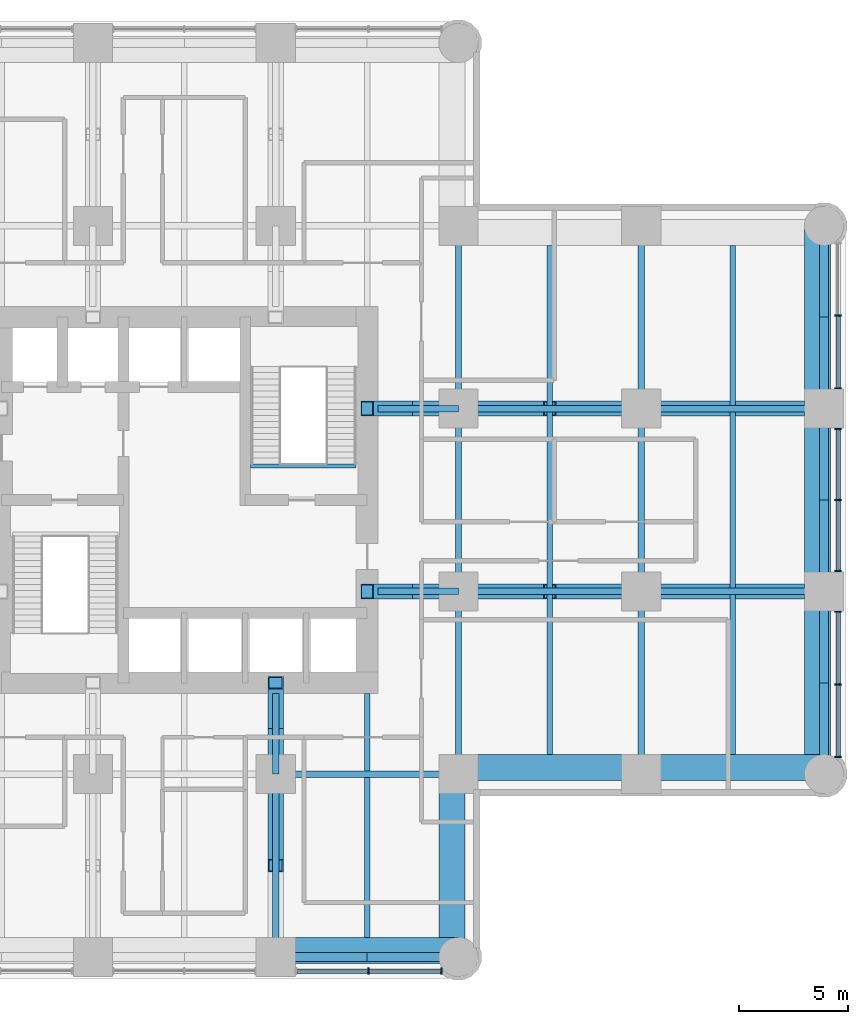
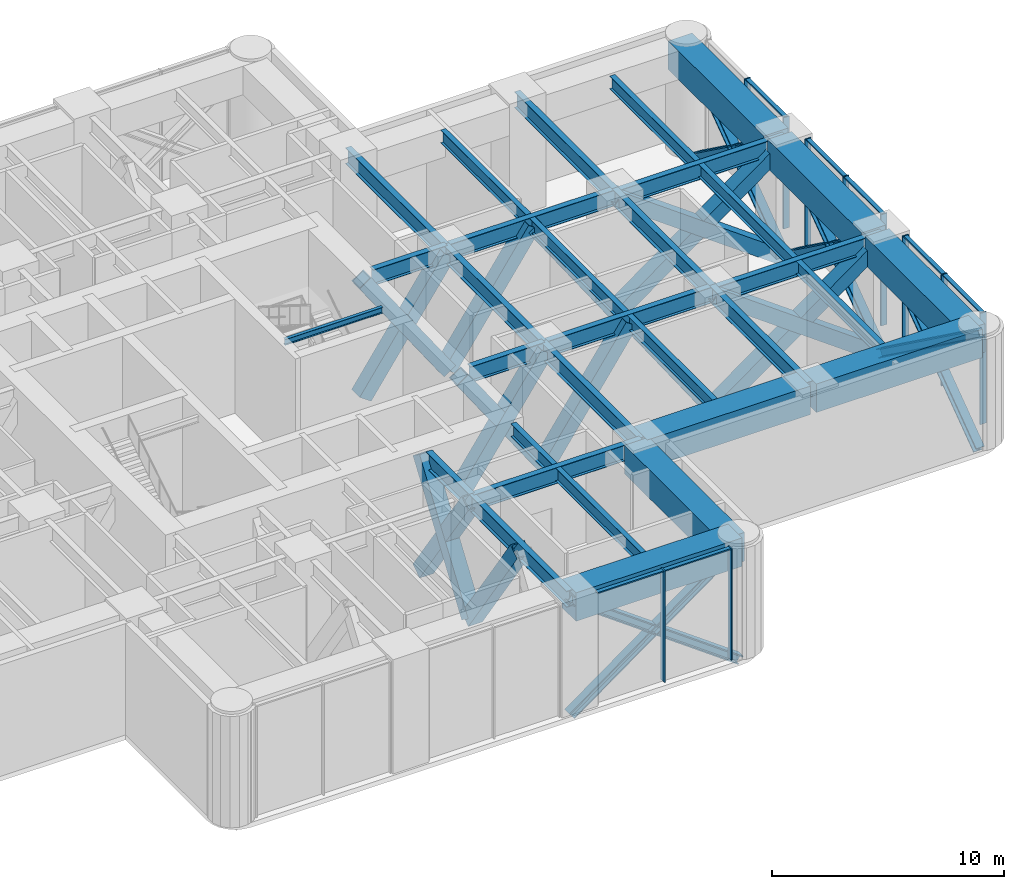
# One storey, part 4 of 13: 40 members, 31 beams, 2 elements without a shape of their own.
"""IFC4 building model written with IfcOpenShell, lengths in metres."""

from ifc_helpers import new_model, si_unit, direction, frame, origin, origin_2d, place, context, subcontext, project, spatial, rectangle, hollow_rectangle, i_section, extrude, material, material_profile, profile_set, type_object, element, aggregate, save


model = new_model("IFC4")

# Units and contexts
model_context = context("Model", 3, precision=1e-05, world=origin(), true_north=direction((0.0, 1.0)))
body_context = subcontext(model_context, "Body", "Model", "MODEL_VIEW")
ifc_project = project(units=[si_unit("LENGTHUNIT", "METRE"), si_unit("AREAUNIT", "SQUARE_METRE"), si_unit("VOLUMEUNIT", "CUBIC_METRE"), si_unit("PLANEANGLEUNIT", "RADIAN"), si_unit("MASSUNIT", "GRAM", prefix="KILO")], contexts=[model_context])

# Site, building, storey
site_placement = place(None, origin())
site = spatial("IfcSite", under=ifc_project, at=site_placement, CompositionType="ELEMENT")
building_placement = place(site_placement, origin())
building = spatial("IfcBuilding", under=site, at=building_placement, Name="Torre Alcanfor", CompositionType="ELEMENT")
storey_placement = place(building_placement, frame((0.0, 0.0, 177.300048828125)))
storey = spatial("IfcBuildingStorey", under=building, at=storey_placement, Name="L46", CompositionType="ELEMENT", Elevation=177.300048828125)

# Members
ifc_material_1 = material(Name="Steel ASTM A992 Grade 50", Category="steel")
ifc_material_profile_1 = material_profile(ifc_material_1, i_section(OverallWidth=0.411376953125, OverallDepth=0.434326171875, WebThickness=0.035888671875, FlangeThickness=0.057373046875, at=origin_2d()), Name="W14x311")
ifc_profile_set_1 = profile_set([ifc_material_profile_1], Name="Steel ASTM A992 Grade 50")
member_type_1 = type_object("IfcMemberType", Name="Belt truss diagonal W14x311", PredefinedType="BRACE", material=ifc_profile_set_1)
for number, where, z_axis, x_axis, name in (
    (1, (58.800048828125, 16.800048828125, -0.650146484375), (0.0, 0.809144712888, 0.587609422665), (-1.0, 0.0, 0.0), "Belt truss L46 E arm panel 1 diagonal A"),
    (2, (58.800048828125, 25.199951171875, -0.650146484375), (0.0, -0.809144712888, 0.587609422665), (1.0, 0.0, 0.0), "Belt truss L46 E arm panel 1 diagonal B"),
):
    element("IfcMember", number, at=place(storey_placement, frame(where, z_axis=z_axis, x_axis=x_axis)), inside=storey, type_object=member_type_1, Name=name, PredefinedType="BRACE", context=body_context, shape_type="SweptSolid", body=[
        extrude(i_section(OverallWidth=0.411376953125, OverallDepth=0.434326171875, WebThickness=0.035888671875, FlangeThickness=0.057373046875, at=origin_2d()), origin(), (0.0, 0.0, 1.0), 10.381103515625),
    ])
for number, where, z_axis, x_axis, name in (
    (3, (58.800048828125, 25.199951171875, -0.650146484375), (0.0, 0.809152832909, 0.587598241144), (-1.0, 0.0, 0.0), "Belt truss L46 E arm panel 2 diagonal A"),
    (4, (58.800048828125, 33.60009765625, -0.650146484375), (0.0, -0.809152832909, 0.587598241144), (1.0, 0.0, 0.0), "Belt truss L46 E arm panel 2 diagonal B"),
):
    element("IfcMember", number, at=place(storey_placement, frame(where, z_axis=z_axis, x_axis=x_axis)), inside=storey, type_object=member_type_1, Name=name, PredefinedType="BRACE", context=body_context, shape_type="SweptSolid", body=[
        extrude(i_section(OverallWidth=0.411376953125, OverallDepth=0.434326171875, WebThickness=0.035888671875, FlangeThickness=0.057373046875, at=origin_2d()), origin(), (0.0, 0.0, 1.0), 10.38134765625),
    ])
for number, where, z_axis, x_axis, name in (
    (5, (58.800048828125, 33.60009765625, -0.650146484375), (0.0, 0.809144712888, 0.587609422665), (-1.0, 0.0, 0.0), "Belt truss L46 E arm panel 3 diagonal A"),
    (6, (58.800048828125, 42.0, -0.650146484375), (0.0, -0.809144712888, 0.587609422665), (1.0, 0.0, 0.0), "Belt truss L46 E arm panel 3 diagonal B"),
    (7, (33.60009765625, 8.39990234375, -0.650146484375), (0.809144712888, 0.0, 0.587609422665), (0.0, 1.0, 0.0), "Belt truss L46 S arm panel 3 diagonal A"),
    (8, (42.0, 8.39990234375, -0.650146484375), (-0.809144712888, 0.0, 0.587609422665), (0.0, -1.0, 0.0), "Belt truss L46 S arm panel 3 diagonal B"),
):
    element("IfcMember", number, at=place(storey_placement, frame(where, z_axis=z_axis, x_axis=x_axis)), inside=storey, type_object=member_type_1, Name=name, PredefinedType="BRACE", context=body_context, shape_type="SweptSolid", body=[
        extrude(i_section(OverallWidth=0.411376953125, OverallDepth=0.434326171875, WebThickness=0.035888671875, FlangeThickness=0.057373046875, at=origin_2d()), origin(), (0.0, 0.0, 1.0), 10.381103515625),
    ])

# Curtain wall, members
ifc_material_2 = material(Name="Aluminium and glass", Category="aluminium")
curtain_wall_type = type_object("IfcCurtainWallType", Name="CW-D plant floor louvre screen", PredefinedType="NOTDEFINED", material=ifc_material_2)
curtain_wall_1_placement = place(storey_placement, origin())
curtain_wall_1 = element("IfcCurtainWall", 9, at=curtain_wall_1_placement, inside=storey, type_object=curtain_wall_type, Name="Curtain wall CW-D L46 5", PredefinedType="NOTDEFINED")
ifc_material_3 = material(Name="Extruded aluminium", Category="aluminium")
ifc_material_profile_2 = material_profile(ifc_material_3, rectangle(XDim=0.300048828125, YDim=0.06494140625, at=origin_2d()), Name="CW-D mullion 65x300")
ifc_profile_set_2 = profile_set([ifc_material_profile_2], Name="Extruded aluminium")
member_type_2 = type_object("IfcMemberType", Name="CW-D mullion 65x300", PredefinedType="MULLION", material=ifc_profile_set_2)
member_1_placement = place(storey_placement, frame((37.875244140625, 7.75, 0.0), z_axis=(0.0, 0.0, 1.0), x_axis=(0.0, 1.0, 0.0)))
member_1 = element("IfcMember", 10, at=member_1_placement, type_object=member_type_2, Name="CW-D mullion 3.2", PredefinedType="MULLION", context=body_context, shape_type="SweptSolid", body=[
    extrude(rectangle(XDim=0.300048828125, YDim=0.06494140625, at=origin_2d()), origin(), (0.0, 0.0, 1.0), 5.849853515625),
])
member_2_placement = place(storey_placement, frame((41.213134765625, 7.75, 0.0), z_axis=(0.0, 0.0, 1.0), x_axis=(0.0, 1.0, 0.0)))
member_2 = element("IfcMember", 11, at=member_2_placement, type_object=member_type_2, Name="CW-D mullion 3.3", PredefinedType="MULLION", context=body_context, shape_type="SweptSolid", body=[
    extrude(rectangle(XDim=0.300048828125, YDim=0.06494140625, at=origin_2d()), origin(), (0.0, 0.0, 1.0), 5.849853515625),
])

curtain_wall_2_placement = place(storey_placement, origin())
curtain_wall_2 = element("IfcCurtainWall", 12, at=curtain_wall_2_placement, inside=storey, type_object=curtain_wall_type, Name="Curtain wall CW-D L46 8", PredefinedType="NOTDEFINED")
member_3_placement = place(storey_placement, frame((59.449951171875, 17.5869140625, 0.0), z_axis=(0.0, 0.0, 1.0), x_axis=(-1.0, 0.0, 0.0)))
member_3 = element("IfcMember", 13, at=member_3_placement, type_object=member_type_2, Name="CW-D mullion 1.1", PredefinedType="MULLION", context=body_context, shape_type="SweptSolid", body=[
    extrude(rectangle(XDim=0.300048828125, YDim=0.06494140625, at=origin_2d()), origin(), (0.0, 0.0, 1.0), 5.849853515625),
])
member_4_placement = place(storey_placement, frame((59.449951171875, 20.924560546875, 0.0), z_axis=(0.0, 0.0, 1.0), x_axis=(-1.0, 0.0, 0.0)))
member_4 = element("IfcMember", 14, at=member_4_placement, type_object=member_type_2, Name="CW-D mullion 1.2", PredefinedType="MULLION", context=body_context, shape_type="SweptSolid", body=[
    extrude(rectangle(XDim=0.300048828125, YDim=0.06494140625, at=origin_2d()), origin(), (0.0, 0.0, 1.0), 5.849853515625),
])
member_5_placement = place(storey_placement, frame((59.449951171875, 24.262451171875, 0.0), z_axis=(0.0, 0.0, 1.0), x_axis=(-1.0, 0.0, 0.0)))
member_5 = element("IfcMember", 15, at=member_5_placement, type_object=member_type_2, Name="CW-D mullion 1.3", PredefinedType="MULLION", context=body_context, shape_type="SweptSolid", body=[
    extrude(rectangle(XDim=0.300048828125, YDim=0.06494140625, at=origin_2d()), origin(), (0.0, 0.0, 1.0), 5.849853515625),
])
member_6_placement = place(storey_placement, frame((59.449951171875, 26.137451171875, 0.0), z_axis=(0.0, 0.0, 1.0), x_axis=(-1.0, 0.0, 0.0)))
member_6 = element("IfcMember", 16, at=member_6_placement, type_object=member_type_2, Name="CW-D mullion 2.1", PredefinedType="MULLION", context=body_context, shape_type="SweptSolid", body=[
    extrude(rectangle(XDim=0.300048828125, YDim=0.06494140625, at=origin_2d()), origin(), (0.0, 0.0, 1.0), 5.849853515625),
])
member_7_placement = place(storey_placement, frame((59.449951171875, 29.39990234375, 0.0), z_axis=(0.0, 0.0, 1.0), x_axis=(-1.0, 0.0, 0.0)))
member_7 = element("IfcMember", 17, at=member_7_placement, type_object=member_type_2, Name="CW-D mullion 2.2", PredefinedType="MULLION", context=body_context, shape_type="SweptSolid", body=[
    extrude(rectangle(XDim=0.300048828125, YDim=0.06494140625, at=origin_2d()), origin(), (0.0, 0.0, 1.0), 5.849853515625),
])
member_8_placement = place(storey_placement, frame((59.449951171875, 32.66259765625, 0.0), z_axis=(0.0, 0.0, 1.0), x_axis=(-1.0, 0.0, 0.0)))
member_8 = element("IfcMember", 18, at=member_8_placement, type_object=member_type_2, Name="CW-D mullion 2.3", PredefinedType="MULLION", context=body_context, shape_type="SweptSolid", body=[
    extrude(rectangle(XDim=0.300048828125, YDim=0.06494140625, at=origin_2d()), origin(), (0.0, 0.0, 1.0), 5.849853515625),
])
member_9_placement = place(storey_placement, frame((59.449951171875, 34.53759765625, 0.0), z_axis=(0.0, 0.0, 1.0), x_axis=(-1.0, 0.0, 0.0)))
member_9 = element("IfcMember", 19, at=member_9_placement, type_object=member_type_2, Name="CW-D mullion 3.1", PredefinedType="MULLION", context=body_context, shape_type="SweptSolid", body=[
    extrude(rectangle(XDim=0.300048828125, YDim=0.06494140625, at=origin_2d()), origin(), (0.0, 0.0, 1.0), 5.849853515625),
])
member_10_placement = place(storey_placement, frame((59.449951171875, 37.875244140625, 0.0), z_axis=(0.0, 0.0, 1.0), x_axis=(-1.0, 0.0, 0.0)))
member_10 = element("IfcMember", 20, at=member_10_placement, type_object=member_type_2, Name="CW-D mullion 3.2", PredefinedType="MULLION", context=body_context, shape_type="SweptSolid", body=[
    extrude(rectangle(XDim=0.300048828125, YDim=0.06494140625, at=origin_2d()), origin(), (0.0, 0.0, 1.0), 5.849853515625),
])

# Member
ifc_material_4 = material(Name="Extruded aluminium", Category="aluminium")
ifc_material_profile_3 = material_profile(ifc_material_4, rectangle(XDim=0.199951171875, YDim=0.06494140625, at=origin_2d()), Name="CW-D transom 200x65")
ifc_profile_set_3 = profile_set([ifc_material_profile_3], Name="Extruded aluminium")
member_type_3 = type_object("IfcMemberType", Name="CW-D transom 65x200", PredefinedType="USERDEFINED", material=ifc_profile_set_3)
member_11_placement = place(storey_placement, frame((34.570068359375, 7.75, 5.8173828125), z_axis=(1.0, 0.0, 0.0), x_axis=(0.0, 1.0, 0.0)))
member_11 = element("IfcMember", 21, at=member_11_placement, type_object=member_type_3, Name="CW-D transom 3.1.2", ObjectType="TRANSOM", PredefinedType="USERDEFINED", context=body_context, shape_type="SweptSolid", body=[
    extrude(rectangle(XDim=0.199951171875, YDim=0.06494140625, at=origin_2d()), origin(), (0.0, 0.0, 1.0), 3.272705078125),
])

member_12_placement = place(storey_placement, frame((37.907958984375, 7.75, 5.8173828125), z_axis=(1.0, 0.0, 0.0), x_axis=(0.0, 1.0, 0.0)))
member_12 = element("IfcMember", 22, at=member_12_placement, type_object=member_type_3, Name="CW-D transom 3.2.2", ObjectType="TRANSOM", PredefinedType="USERDEFINED", context=body_context, shape_type="SweptSolid", body=[
    extrude(rectangle(XDim=0.199951171875, YDim=0.06494140625, at=origin_2d()), origin(), (0.0, 0.0, 1.0), 3.272705078125),
])

aggregate(curtain_wall_1, [member_1, member_2, member_11, member_12])

member_13_placement = place(storey_placement, frame((59.449951171875, 17.619384765625, 5.8173828125), z_axis=(0.0, 1.0, 0.0), x_axis=(-1.0, 0.0, 0.0)))
member_13 = element("IfcMember", 23, at=member_13_placement, type_object=member_type_3, Name="CW-D transom 1.1.2", ObjectType="TRANSOM", PredefinedType="USERDEFINED", context=body_context, shape_type="SweptSolid", body=[
    extrude(rectangle(XDim=0.199951171875, YDim=0.06494140625, at=origin_2d()), origin(), (0.0, 0.0, 1.0), 3.272705078125),
])

member_14_placement = place(storey_placement, frame((59.449951171875, 20.95703125, 5.8173828125), z_axis=(0.0, 1.0, 0.0), x_axis=(-1.0, 0.0, 0.0)))
member_14 = element("IfcMember", 24, at=member_14_placement, type_object=member_type_3, Name="CW-D transom 1.2.2", ObjectType="TRANSOM", PredefinedType="USERDEFINED", context=body_context, shape_type="SweptSolid", body=[
    extrude(rectangle(XDim=0.199951171875, YDim=0.06494140625, at=origin_2d()), origin(), (0.0, 0.0, 1.0), 3.27294921875),
])

member_15_placement = place(storey_placement, frame((59.449951171875, 26.169921875, 5.8173828125), z_axis=(0.0, 1.0, 0.0), x_axis=(-1.0, 0.0, 0.0)))
member_15 = element("IfcMember", 25, at=member_15_placement, type_object=member_type_3, Name="CW-D transom 2.1.2", ObjectType="TRANSOM", PredefinedType="USERDEFINED", context=body_context, shape_type="SweptSolid", body=[
    extrude(rectangle(XDim=0.199951171875, YDim=0.06494140625, at=origin_2d()), origin(), (0.0, 0.0, 1.0), 3.197509765625),
])

member_16_placement = place(storey_placement, frame((59.449951171875, 29.4326171875, 5.8173828125), z_axis=(0.0, 1.0, 0.0), x_axis=(-1.0, 0.0, 0.0)))
member_16 = element("IfcMember", 26, at=member_16_placement, type_object=member_type_3, Name="CW-D transom 2.2.2", ObjectType="TRANSOM", PredefinedType="USERDEFINED", context=body_context, shape_type="SweptSolid", body=[
    extrude(rectangle(XDim=0.199951171875, YDim=0.06494140625, at=origin_2d()), origin(), (0.0, 0.0, 1.0), 3.197265625),
])

member_17_placement = place(storey_placement, frame((59.449951171875, 34.570068359375, 5.8173828125), z_axis=(0.0, 1.0, 0.0), x_axis=(-1.0, 0.0, 0.0)))
member_17 = element("IfcMember", 27, at=member_17_placement, type_object=member_type_3, Name="CW-D transom 3.1.2", ObjectType="TRANSOM", PredefinedType="USERDEFINED", context=body_context, shape_type="SweptSolid", body=[
    extrude(rectangle(XDim=0.199951171875, YDim=0.06494140625, at=origin_2d()), origin(), (0.0, 0.0, 1.0), 3.272705078125),
])

aggregate(curtain_wall_2, [member_3, member_4, member_5, member_13, member_14, member_6, member_7, member_8, member_15, member_16, member_9, member_10, member_17])

# Beams
ifc_material_5 = material(Name="Steel ASTM A992 Grade 50", Category="steel")
ifc_material_profile_4 = material_profile(ifc_material_5, i_section(OverallWidth=0.2919921875, OverallDepth=0.8408203125, WebThickness=0.0146484375, FlangeThickness=0.021728515625, at=origin_2d()), Name="W33x130")
ifc_profile_set_4 = profile_set([ifc_material_profile_4], Name="Steel ASTM A992 Grade 50")
beam_type_1 = type_object("IfcBeamType", Name="Girder W33x130", PredefinedType="BEAM", material=ifc_profile_set_4)
for number, where, z_axis, x_axis, name in (
    (28, (33.60009765625, 16.800048828125, 5.4296875), (1.0, 0.0, 0.0), (0.0, 1.0, 0.0), "Beam 5E-6E under L47"),
    (29, (42.0, 25.199951171875, 5.4296875), (1.0, 0.0, 0.0), (0.0, 1.0, 0.0), "Beam 6F-7F under L47"),
):
    element("IfcBeam", number, at=place(storey_placement, frame(where, z_axis=z_axis, x_axis=x_axis)), inside=storey, type_object=beam_type_1, Name=name, PredefinedType="BEAM", context=body_context, shape_type="SweptSolid", body=[
        extrude(i_section(OverallWidth=0.2919921875, OverallDepth=0.8408203125, WebThickness=0.0146484375, FlangeThickness=0.021728515625, at=origin_2d()), origin(), (0.0, 0.0, 1.0), 8.39990234375),
    ])
beam_1_placement = place(storey_placement, frame((50.39990234375, 25.199951171875, 5.32958984375), z_axis=(1.0, 0.0, 0.0), x_axis=(0.0, 1.0, 0.0)))
element("IfcBeam", 30, at=beam_1_placement, inside=storey, type_object=beam_type_1, Name="Beam 7F-8F under L47", PredefinedType="BEAM", context=body_context, shape_type="SweptSolid", body=[
    extrude(i_section(OverallWidth=0.2919921875, OverallDepth=0.8408203125, WebThickness=0.0146484375, FlangeThickness=0.021728515625, at=origin_2d()), origin(), (0.0, 0.0, 1.0), 8.400146484375),
])
beam_2_placement = place(storey_placement, frame((42.0, 33.60009765625, 5.4296875), z_axis=(1.0, 0.0, 0.0), x_axis=(0.0, 1.0, 0.0)))
element("IfcBeam", 31, at=beam_2_placement, inside=storey, type_object=beam_type_1, Name="Beam 6G-7G under L47", PredefinedType="BEAM", context=body_context, shape_type="SweptSolid", body=[
    extrude(i_section(OverallWidth=0.2919921875, OverallDepth=0.8408203125, WebThickness=0.0146484375, FlangeThickness=0.021728515625, at=origin_2d()), origin(), (0.0, 0.0, 1.0), 8.39990234375),
])
for number, where, z_axis, x_axis, name in (
    (32, (50.39990234375, 33.60009765625, 5.32958984375), (1.0, 0.0, 0.0), (0.0, 1.0, 0.0), "Beam 7G-8G under L47"),
    (33, (33.60009765625, 8.39990234375, 5.4296875), (0.0, 1.0, 0.0), (-1.0, 0.0, 0.0), "Beam 5D-5E under L47"),
):
    element("IfcBeam", number, at=place(storey_placement, frame(where, z_axis=z_axis, x_axis=x_axis)), inside=storey, type_object=beam_type_1, Name=name, PredefinedType="BEAM", context=body_context, shape_type="SweptSolid", body=[
        extrude(i_section(OverallWidth=0.2919921875, OverallDepth=0.8408203125, WebThickness=0.0146484375, FlangeThickness=0.021728515625, at=origin_2d()), origin(), (0.0, 0.0, 1.0), 8.400146484375),
    ])
beam_3_placement = place(storey_placement, frame((42.0, 16.800048828125, 5.4296875), z_axis=(0.0, 1.0, 0.0), x_axis=(-1.0, 0.0, 0.0)))
element("IfcBeam", 34, at=beam_3_placement, inside=storey, type_object=beam_type_1, Name="Beam 6E-6F under L47", PredefinedType="BEAM", context=body_context, shape_type="SweptSolid", body=[
    extrude(i_section(OverallWidth=0.2919921875, OverallDepth=0.8408203125, WebThickness=0.0146484375, FlangeThickness=0.021728515625, at=origin_2d()), origin(), (0.0, 0.0, 1.0), 8.39990234375),
])
beam_4_placement = place(storey_placement, frame((42.0, 25.199951171875, 5.4296875), z_axis=(0.0, 1.0, 0.0), x_axis=(-1.0, 0.0, 0.0)))
element("IfcBeam", 35, at=beam_4_placement, inside=storey, type_object=beam_type_1, Name="Beam 6F-6G under L47", PredefinedType="BEAM", context=body_context, shape_type="SweptSolid", body=[
    extrude(i_section(OverallWidth=0.2919921875, OverallDepth=0.8408203125, WebThickness=0.0146484375, FlangeThickness=0.021728515625, at=origin_2d()), origin(), (0.0, 0.0, 1.0), 8.400146484375),
])
for number, where, z_axis, x_axis, name in (
    (36, (42.0, 33.60009765625, 5.4296875), (0.0, 1.0, 0.0), (-1.0, 0.0, 0.0), "Beam 6G-6H under L47"),
    (37, (50.39990234375, 16.800048828125, 5.4296875), (0.0, 1.0, 0.0), (-1.0, 0.0, 0.0), "Beam 7E-7F under L47"),
):
    element("IfcBeam", number, at=place(storey_placement, frame(where, z_axis=z_axis, x_axis=x_axis)), inside=storey, type_object=beam_type_1, Name=name, PredefinedType="BEAM", context=body_context, shape_type="SweptSolid", body=[
        extrude(i_section(OverallWidth=0.2919921875, OverallDepth=0.8408203125, WebThickness=0.0146484375, FlangeThickness=0.021728515625, at=origin_2d()), origin(), (0.0, 0.0, 1.0), 8.39990234375),
    ])
beam_5_placement = place(storey_placement, frame((50.39990234375, 25.199951171875, 5.4296875), z_axis=(0.0, 1.0, 0.0), x_axis=(-1.0, 0.0, 0.0)))
element("IfcBeam", 38, at=beam_5_placement, inside=storey, type_object=beam_type_1, Name="Beam 7F-7G under L47", PredefinedType="BEAM", context=body_context, shape_type="SweptSolid", body=[
    extrude(i_section(OverallWidth=0.2919921875, OverallDepth=0.8408203125, WebThickness=0.0146484375, FlangeThickness=0.021728515625, at=origin_2d()), origin(), (0.0, 0.0, 1.0), 8.400146484375),
])
beam_6_placement = place(storey_placement, frame((50.39990234375, 33.60009765625, 5.4296875), z_axis=(0.0, 1.0, 0.0), x_axis=(-1.0, 0.0, 0.0)))
element("IfcBeam", 39, at=beam_6_placement, inside=storey, type_object=beam_type_1, Name="Beam 7G-7H under L47", PredefinedType="BEAM", context=body_context, shape_type="SweptSolid", body=[
    extrude(i_section(OverallWidth=0.2919921875, OverallDepth=0.8408203125, WebThickness=0.0146484375, FlangeThickness=0.021728515625, at=origin_2d()), origin(), (0.0, 0.0, 1.0), 8.39990234375),
])
ifc_material_6 = material(Name="Steel ASTM A992 Grade 50", Category="steel")
ifc_material_profile_5 = material_profile(ifc_material_6, i_section(OverallWidth=0.2919921875, OverallDepth=0.8408203125, WebThickness=0.0146484375, FlangeThickness=0.021728515625, at=origin_2d()), Name="W33x130")
ifc_profile_set_5 = profile_set([ifc_material_profile_5], Name="Steel ASTM A992 Grade 50")
beam_type_2 = type_object("IfcBeamType", Name="Girder, part bay W33x130", PredefinedType="BEAM", material=ifc_profile_set_5)
for number, where, z_axis, x_axis, name in (
    (40, (33.60009765625, 16.800048828125, 5.4296875), (0.0, 1.0, 0.0), (-1.0, 0.0, 0.0), "Beam 5E-520_5 under L47"),
    (41, (42.0, 25.199951171875, 5.4296875), (-1.0, 0.0, 0.0), (0.0, -1.0, 0.0), "Beam 6F-38_3F under L47"),
    (42, (42.0, 33.60009765625, 5.4296875), (-1.0, 0.0, 0.0), (0.0, -1.0, 0.0), "Beam 6G-38_3G under L47"),
):
    element("IfcBeam", number, at=place(storey_placement, frame(where, z_axis=z_axis, x_axis=x_axis)), inside=storey, type_object=beam_type_2, Name=name, PredefinedType="BEAM", context=body_context, shape_type="SweptSolid", body=[
        extrude(i_section(OverallWidth=0.2919921875, OverallDepth=0.8408203125, WebThickness=0.0146484375, FlangeThickness=0.021728515625, at=origin_2d()), origin(), (0.0, 0.0, 1.0), 3.699951171875),
    ])

# Members
ifc_material_7 = material(Name="Steel ASTM A572 Grade 50 plate", Category="steel")
ifc_material_profile_6 = material_profile(ifc_material_7, hollow_rectangle(XDim=0.699951171875, YDim=0.699951171875, WallThickness=0.050048828125, at=origin_2d()), Name="BOX 700x700x50")
ifc_profile_set_6 = profile_set([ifc_material_profile_6], Name="Steel ASTM A572 Grade 50 plate")
member_type_4 = type_object("IfcMemberType", Name="Outrigger truss diagonal BOx700x700x50", PredefinedType="BRACE", material=ifc_profile_set_6)
for number, where, z_axis, x_axis, name in (
    (43, (37.800048828125, 25.199951171875, -0.650146484375), (0.567091101321, 0.0, 0.823655075139), (0.0, 1.0, 0.0), "Outrigger truss L46 E arm grid 25.2 panel 1 diagonal A"),
    (44, (42.0, 25.199951171875, -0.650146484375), (-0.567091101321, 0.0, 0.823655075139), (0.0, -1.0, 0.0), "Outrigger truss L46 E arm grid 25.2 panel 1 diagonal B"),
    (45, (42.0, 25.199951171875, -0.650146484375), (0.567091101321, 0.0, 0.823655075139), (0.0, 1.0, 0.0), "Outrigger truss L46 E arm grid 25.2 panel 2 diagonal A"),
    (46, (50.39990234375, 25.199951171875, -0.650146484375), (-0.567091101321, 0.0, 0.823655075139), (0.0, -1.0, 0.0), "Outrigger truss L46 E arm grid 25.2 panel 2 diagonal B"),
):
    element("IfcMember", number, at=place(storey_placement, frame(where, z_axis=z_axis, x_axis=x_axis)), inside=storey, type_object=member_type_4, Name=name, PredefinedType="BRACE", context=body_context, shape_type="SweptSolid", body=[
        extrude(hollow_rectangle(XDim=0.699951171875, YDim=0.699951171875, WallThickness=0.050048828125, at=origin_2d()), origin(), (0.0, 0.0, 1.0), 7.40625),
    ])
for number, where, z_axis, x_axis, name in (
    (47, (50.39990234375, 25.199951171875, -0.650146484375), (0.809152832909, 0.0, 0.587598241144), (0.0, 1.0, 0.0), "Outrigger truss L46 E arm grid 25.2 panel 3 diagonal A"),
    (48, (58.800048828125, 25.199951171875, -0.650146484375), (-0.809152832909, 0.0, 0.587598241144), (0.0, -1.0, 0.0), "Outrigger truss L46 E arm grid 25.2 panel 3 diagonal B"),
):
    element("IfcMember", number, at=place(storey_placement, frame(where, z_axis=z_axis, x_axis=x_axis)), inside=storey, type_object=member_type_4, Name=name, PredefinedType="BRACE", context=body_context, shape_type="SweptSolid", body=[
        extrude(hollow_rectangle(XDim=0.699951171875, YDim=0.699951171875, WallThickness=0.050048828125, at=origin_2d()), origin(), (0.0, 0.0, 1.0), 10.38134765625),
    ])
for number, where, z_axis, x_axis, name in (
    (49, (37.800048828125, 33.60009765625, -0.650146484375), (0.567091101321, 0.0, 0.823655075139), (0.0, 1.0, 0.0), "Outrigger truss L46 E arm grid 33.6 panel 1 diagonal A"),
    (50, (42.0, 33.60009765625, -0.650146484375), (-0.567091101321, 0.0, 0.823655075139), (0.0, -1.0, 0.0), "Outrigger truss L46 E arm grid 33.6 panel 1 diagonal B"),
    (51, (42.0, 33.60009765625, -0.650146484375), (0.567091101321, 0.0, 0.823655075139), (0.0, 1.0, 0.0), "Outrigger truss L46 E arm grid 33.6 panel 2 diagonal A"),
    (52, (50.39990234375, 33.60009765625, -0.650146484375), (-0.567091101321, 0.0, 0.823655075139), (0.0, -1.0, 0.0), "Outrigger truss L46 E arm grid 33.6 panel 2 diagonal B"),
):
    element("IfcMember", number, at=place(storey_placement, frame(where, z_axis=z_axis, x_axis=x_axis)), inside=storey, type_object=member_type_4, Name=name, PredefinedType="BRACE", context=body_context, shape_type="SweptSolid", body=[
        extrude(hollow_rectangle(XDim=0.699951171875, YDim=0.699951171875, WallThickness=0.050048828125, at=origin_2d()), origin(), (0.0, 0.0, 1.0), 7.40625),
    ])
for number, where, z_axis, x_axis, name in (
    (53, (50.39990234375, 33.60009765625, -0.650146484375), (0.809152832909, 0.0, 0.587598241144), (0.0, 1.0, 0.0), "Outrigger truss L46 E arm grid 33.6 panel 3 diagonal A"),
    (54, (58.800048828125, 33.60009765625, -0.650146484375), (-0.809152832909, 0.0, 0.587598241144), (0.0, -1.0, 0.0), "Outrigger truss L46 E arm grid 33.6 panel 3 diagonal B"),
):
    element("IfcMember", number, at=place(storey_placement, frame(where, z_axis=z_axis, x_axis=x_axis)), inside=storey, type_object=member_type_4, Name=name, PredefinedType="BRACE", context=body_context, shape_type="SweptSolid", body=[
        extrude(hollow_rectangle(XDim=0.699951171875, YDim=0.699951171875, WallThickness=0.050048828125, at=origin_2d()), origin(), (0.0, 0.0, 1.0), 10.38134765625),
    ])
for number, where, z_axis, x_axis, name in (
    (55, (33.60009765625, 21.0, -0.650146484375), (0.0, -0.567091101321, 0.823655075139), (1.0, 0.0, 0.0), "Outrigger truss L46 S arm grid 33.6 panel 1 diagonal A"),
    (56, (33.60009765625, 16.800048828125, -0.650146484375), (0.0, 0.567091101321, 0.823655075139), (-1.0, 0.0, 0.0), "Outrigger truss L46 S arm grid 33.6 panel 1 diagonal B"),
    (57, (33.60009765625, 16.800048828125, -0.650146484375), (0.0, -0.567091101321, 0.823655075139), (1.0, 0.0, 0.0), "Outrigger truss L46 S arm grid 33.6 panel 2 diagonal A"),
):
    element("IfcMember", number, at=place(storey_placement, frame(where, z_axis=z_axis, x_axis=x_axis)), inside=storey, type_object=member_type_4, Name=name, PredefinedType="BRACE", context=body_context, shape_type="SweptSolid", body=[
        extrude(hollow_rectangle(XDim=0.699951171875, YDim=0.699951171875, WallThickness=0.050048828125, at=origin_2d()), origin(), (0.0, 0.0, 1.0), 7.40625),
    ])

# Beams
ifc_material_8 = material(Name="Concrete f'c 70 MPa", Category="concrete")
ifc_material_profile_7 = material_profile(ifc_material_8, rectangle(XDim=1.199951171875, YDim=1.5, at=origin_2d()), Name="1200x1500")
ifc_profile_set_7 = profile_set([ifc_material_profile_7], Name="Concrete f'c 70 MPa")
beam_type_3 = type_object("IfcBeamType", Name="RC perimeter beam 1200x1500", PredefinedType="BEAM", material=ifc_profile_set_7)
beam_7_placement = place(storey_placement, frame((33.74609375, 8.699951171875, 5.099853515625), z_axis=(1.0, 0.0, 0.0), x_axis=(0.0, 1.0, 0.0)))
element("IfcBeam", 58, at=beam_7_placement, inside=storey, type_object=beam_type_3, Name="Beam 5D-6D under L47", PredefinedType="BEAM", context=body_context, shape_type="SweptSolid", body=[
    extrude(rectangle(XDim=1.199951171875, YDim=1.5, at=origin_2d()), origin(), (0.0, 0.0, 1.0), 8.25390625),
])
beam_8_placement = place(storey_placement, frame((42.14599609375, 17.10009765625, 5.099853515625), z_axis=(1.0, 0.0, 0.0), x_axis=(0.0, 1.0, 0.0)))
element("IfcBeam", 59, at=beam_8_placement, inside=storey, type_object=beam_type_3, Name="Beam 6E-7E under L47", PredefinedType="BEAM", context=body_context, shape_type="SweptSolid", body=[
    extrude(rectangle(XDim=1.199951171875, YDim=1.5, at=origin_2d()), origin(), (0.0, 0.0, 1.0), 8.10791015625),
])
for number, where, z_axis, x_axis, name in (
    (60, (50.5458984375, 17.10009765625, 5.099853515625), (1.0, 0.0, 0.0), (0.0, 1.0, 0.0), "Beam 7E-8E under L47"),
    (61, (41.699951171875, 8.39990234375, 5.099853515625), (0.0, 1.0, 0.0), (-1.0, 0.0, 0.0), "Beam 6D-6E under L47"),
):
    element("IfcBeam", number, at=place(storey_placement, frame(where, z_axis=z_axis, x_axis=x_axis)), inside=storey, type_object=beam_type_3, Name=name, PredefinedType="BEAM", context=body_context, shape_type="SweptSolid", body=[
        extrude(rectangle(XDim=1.199951171875, YDim=1.5, at=origin_2d()), origin(), (0.0, 0.0, 1.0), 8.254150390625),
    ])
beam_9_placement = place(storey_placement, frame((58.5, 16.800048828125, 5.099853515625), z_axis=(0.0, 1.0, 0.0), x_axis=(-1.0, 0.0, 0.0)))
element("IfcBeam", 62, at=beam_9_placement, inside=storey, type_object=beam_type_3, Name="Beam 8E-8F under L47", PredefinedType="BEAM", context=body_context, shape_type="SweptSolid", body=[
    extrude(rectangle(XDim=1.199951171875, YDim=1.5, at=origin_2d()), origin(), (0.0, 0.0, 1.0), 8.25390625),
])
beam_10_placement = place(storey_placement, frame((58.5, 25.345947265625, 5.099853515625), z_axis=(0.0, 1.0, 0.0), x_axis=(-1.0, 0.0, 0.0)))
element("IfcBeam", 63, at=beam_10_placement, inside=storey, type_object=beam_type_3, Name="Beam 8F-8G under L47", PredefinedType="BEAM", context=body_context, shape_type="SweptSolid", body=[
    extrude(rectangle(XDim=1.199951171875, YDim=1.5, at=origin_2d()), origin(), (0.0, 0.0, 1.0), 8.108154296875),
])
beam_11_placement = place(storey_placement, frame((58.5, 33.74609375, 5.099853515625), z_axis=(0.0, 1.0, 0.0), x_axis=(-1.0, 0.0, 0.0)))
element("IfcBeam", 64, at=beam_11_placement, inside=storey, type_object=beam_type_3, Name="Beam 8G-8H under L47", PredefinedType="BEAM", context=body_context, shape_type="SweptSolid", body=[
    extrude(rectangle(XDim=1.199951171875, YDim=1.5, at=origin_2d()), origin(), (0.0, 0.0, 1.0), 8.25390625),
])
ifc_material_9 = material(Name="Steel ASTM A992 Grade 50", Category="steel")
ifc_material_profile_8 = material_profile(ifc_material_9, i_section(OverallWidth=0.25390625, OverallDepth=0.683349609375, WebThickness=0.012451171875, FlangeThickness=0.01904296875, at=origin_2d()), Name="W27x94")
ifc_profile_set_8 = profile_set([ifc_material_profile_8], Name="Steel ASTM A992 Grade 50")
beam_type_4 = type_object("IfcBeamType", Name="Secondary beam W27x94", PredefinedType="BEAM", material=ifc_profile_set_8)
for number, where, z_axis, x_axis, name in (
    (65, (37.800048828125, 9.300048828125, 5.50830078125), (0.0, 1.0, 0.0), (-1.0, 0.0, 0.0), "Beam 37_8D-37_8E under L47"),
    (66, (46.199951171875, 17.699951171875, 5.50830078125), (0.0, 1.0, 0.0), (-1.0, 0.0, 0.0), "Beam 46_2E-46_2F under L47"),
):
    element("IfcBeam", number, at=place(storey_placement, frame(where, z_axis=z_axis, x_axis=x_axis)), inside=storey, type_object=beam_type_4, Name=name, PredefinedType="BEAM", context=body_context, shape_type="SweptSolid", body=[
        extrude(i_section(OverallWidth=0.25390625, OverallDepth=0.683349609375, WebThickness=0.012451171875, FlangeThickness=0.01904296875, at=origin_2d()), origin(), (0.0, 0.0, 1.0), 7.35400390625),
    ])
beam_12_placement = place(storey_placement, frame((46.199951171875, 25.345947265625, 5.50830078125), z_axis=(0.0, 1.0, 0.0), x_axis=(-1.0, 0.0, 0.0)))
element("IfcBeam", 67, at=beam_12_placement, inside=storey, type_object=beam_type_4, Name="Beam 46_2F-46_2G under L47", PredefinedType="BEAM", context=body_context, shape_type="SweptSolid", body=[
    extrude(i_section(OverallWidth=0.25390625, OverallDepth=0.683349609375, WebThickness=0.012451171875, FlangeThickness=0.01904296875, at=origin_2d()), origin(), (0.0, 0.0, 1.0), 8.108154296875),
])
for number, where, z_axis, x_axis, name in (
    (68, (46.199951171875, 33.74609375, 5.50830078125), (0.0, 1.0, 0.0), (-1.0, 0.0, 0.0), "Beam 46_2G-46_2H under L47"),
    (69, (54.60009765625, 17.699951171875, 5.408203125), (0.0, 1.0, 0.0), (-1.0, 0.0, 0.0), "Beam 54_6E-54_6F under L47"),
):
    element("IfcBeam", number, at=place(storey_placement, frame(where, z_axis=z_axis, x_axis=x_axis)), inside=storey, type_object=beam_type_4, Name=name, PredefinedType="BEAM", context=body_context, shape_type="SweptSolid", body=[
        extrude(i_section(OverallWidth=0.25390625, OverallDepth=0.683349609375, WebThickness=0.012451171875, FlangeThickness=0.01904296875, at=origin_2d()), origin(), (0.0, 0.0, 1.0), 7.35400390625),
    ])
beam_13_placement = place(storey_placement, frame((54.60009765625, 25.345947265625, 5.408203125), z_axis=(0.0, 1.0, 0.0), x_axis=(-1.0, 0.0, 0.0)))
element("IfcBeam", 70, at=beam_13_placement, inside=storey, type_object=beam_type_4, Name="Beam 54_6F-54_6G under L47", PredefinedType="BEAM", context=body_context, shape_type="SweptSolid", body=[
    extrude(i_section(OverallWidth=0.25390625, OverallDepth=0.683349609375, WebThickness=0.012451171875, FlangeThickness=0.01904296875, at=origin_2d()), origin(), (0.0, 0.0, 1.0), 8.108154296875),
])
beam_14_placement = place(storey_placement, frame((54.60009765625, 33.74609375, 5.408203125), z_axis=(0.0, 1.0, 0.0), x_axis=(-1.0, 0.0, 0.0)))
element("IfcBeam", 71, at=beam_14_placement, inside=storey, type_object=beam_type_4, Name="Beam 54_6G-54_6H under L47", PredefinedType="BEAM", context=body_context, shape_type="SweptSolid", body=[
    extrude(i_section(OverallWidth=0.25390625, OverallDepth=0.683349609375, WebThickness=0.012451171875, FlangeThickness=0.01904296875, at=origin_2d()), origin(), (0.0, 0.0, 1.0), 7.35400390625),
])
ifc_material_10 = material(Name="Steel ASTM A992 Grade 50", Category="steel")
ifc_material_profile_9 = material_profile(ifc_material_10, i_section(OverallWidth=0.25390625, OverallDepth=0.683349609375, WebThickness=0.012451171875, FlangeThickness=0.01904296875, at=origin_2d()), Name="W27x94")
ifc_profile_set_9 = profile_set([ifc_material_profile_9], Name="Steel ASTM A992 Grade 50")
beam_type_5 = type_object("IfcBeamType", Name="Secondary beam, part bay W27x94", PredefinedType="BEAM", material=ifc_profile_set_9)
beam_15_placement = place(storey_placement, frame((37.800048828125, 16.946044921875, 5.50830078125), z_axis=(0.0, 1.0, 0.0), x_axis=(-1.0, 0.0, 0.0)))
element("IfcBeam", 72, at=beam_15_placement, inside=storey, type_object=beam_type_5, Name="Beam 37_8E-37_820_5 under L47", PredefinedType="BEAM", context=body_context, shape_type="SweptSolid", body=[
    extrude(i_section(OverallWidth=0.25390625, OverallDepth=0.683349609375, WebThickness=0.012451171875, FlangeThickness=0.01904296875, at=origin_2d()), origin(), (0.0, 0.0, 1.0), 3.553955078125),
])
ifc_material_11 = material(Name="Steel ASTM A992 Grade 50", Category="steel")
ifc_material_profile_10 = material_profile(ifc_material_11, i_section(OverallWidth=0.164794921875, OverallDepth=0.309814453125, WebThickness=0.005859375, FlangeThickness=0.009765625, at=origin_2d()), Name="W12x26")
ifc_profile_set_10 = profile_set([ifc_material_profile_10], Name="Steel ASTM A992 Grade 50")
beam_type_6 = type_object("IfcBeamType", Name="Stair landing beam W12x26", PredefinedType="BEAM", material=ifc_profile_set_10)
beam_16_placement = place(storey_placement, frame((32.449951171875, 30.962646484375, 5.64501953125), z_axis=(1.0, 0.0, 0.0), x_axis=(0.0, 1.0, 0.0)))
element("IfcBeam", 73, at=beam_16_placement, inside=storey, type_object=beam_type_6, Name="Landing trimmer S2 L47", PredefinedType="BEAM", context=body_context, shape_type="SweptSolid", body=[
    extrude(i_section(OverallWidth=0.164794921875, OverallDepth=0.309814453125, WebThickness=0.005859375, FlangeThickness=0.009765625, at=origin_2d()), origin(), (0.0, 0.0, 1.0), 4.85009765625),
])

save(model, "model.ifc")
